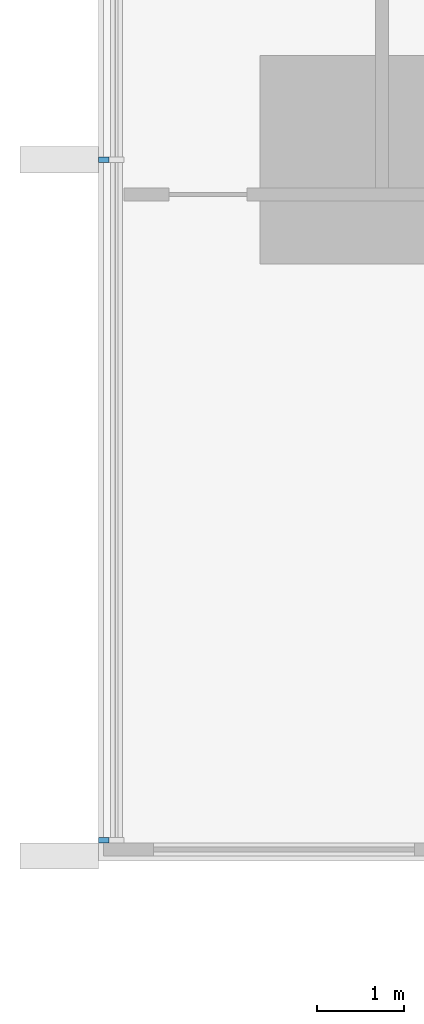
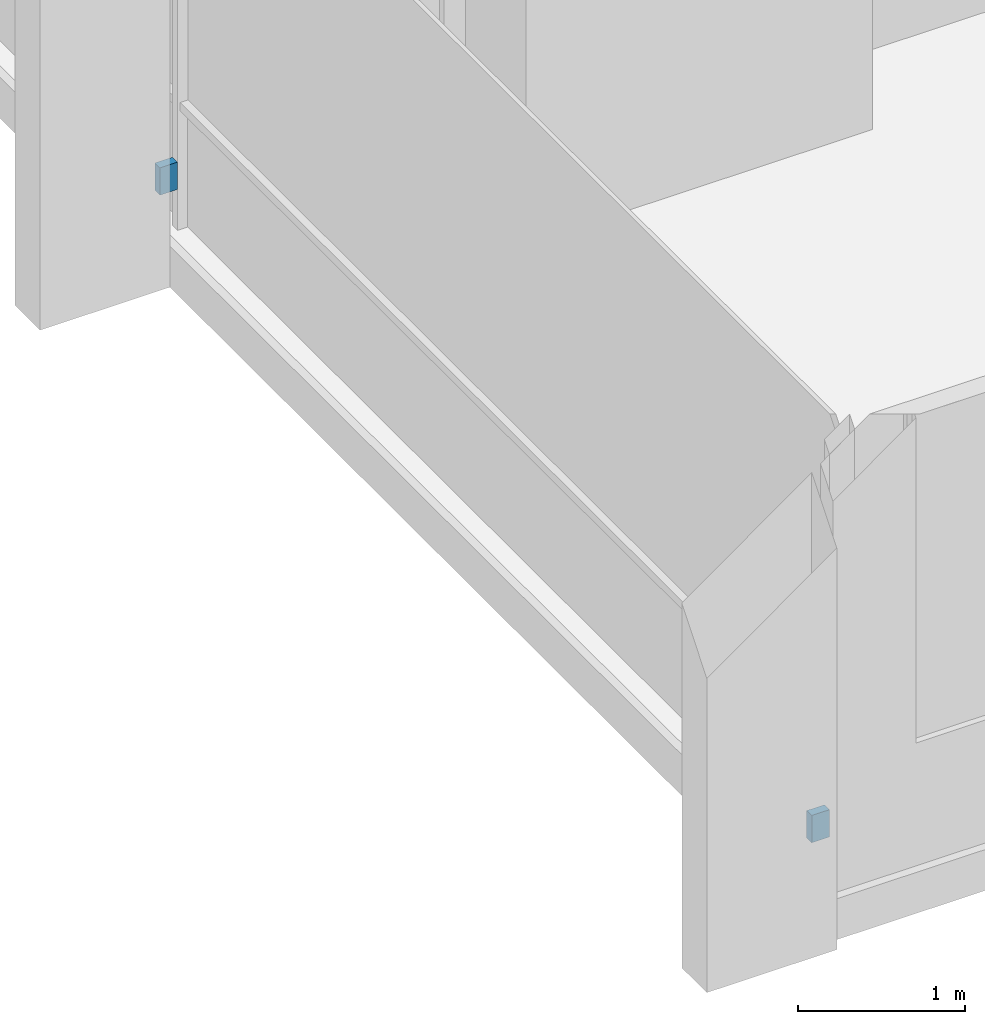
# One storey, part 13 of 17: 2 discrete accessories.
"""IFC4 building model written with IfcOpenShell, lengths in metres."""

from ifc_helpers import new_model, si_unit, direction, frame, origin, origin_2d, place, context, subcontext, project, spatial, rectangle, extrude, material, type_object, element, save


model = new_model("IFC4")

# Units and contexts
model_context = context("Model", 3, precision=1e-05, world=origin(), true_north=direction((0.0, 1.0)))
body_context = subcontext(model_context, "Body", "Model", "MODEL_VIEW")
ifc_project = project(units=[si_unit("LENGTHUNIT", "METRE"), si_unit("AREAUNIT", "SQUARE_METRE"), si_unit("VOLUMEUNIT", "CUBIC_METRE"), si_unit("PLANEANGLEUNIT", "RADIAN"), si_unit("MASSUNIT", "GRAM", prefix="KILO")], contexts=[model_context])

# Site, building, storey
site_placement = place(None, origin())
site = spatial("IfcSite", under=ifc_project, at=site_placement, CompositionType="ELEMENT")
building_placement = place(site_placement, origin())
building = spatial("IfcBuilding", under=site, at=building_placement, Name="Finial Court Residences", CompositionType="ELEMENT")
storey_placement = place(building_placement, frame((0.0, 0.0, 170.89990234375)))
storey = spatial("IfcBuildingStorey", under=building, at=storey_placement, Name="L42", CompositionType="ELEMENT", Elevation=170.89990234375)

# Discrete accessories
ifc_material = material(Name="Stainless steel 316", Category="steel")
discrete_accessory_type = type_object("IfcDiscreteAccessoryType", Name="Fin bracket, stainless steel 60 x 122 x 200", PredefinedType="BRACKET", material=ifc_material)
for number, where, z_axis, x_axis, name in (
    (1, (-19.498779296875, -21.320068359375, 0.30029296875), (0.0, 0.0, 1.0), (1.0, 0.0, 0.0), "E-L42-FIN-W22-BRK"),
    (2, (-19.498779296875, -13.5, 0.30029296875), (0.0, 0.0, 1.0), (1.0, 0.0, 0.0), "E-L42-FIN-W23-BRK"),
):
    element("IfcDiscreteAccessory", number, at=place(storey_placement, frame(where, z_axis=z_axis, x_axis=x_axis)), inside=storey, type_object=discrete_accessory_type, Name=name, PredefinedType="BRACKET", context=body_context, shape_type="SweptSolid", body=[
        extrude(rectangle(XDim=0.12255859375, YDim=0.06005859375, at=origin_2d()), origin(), (0.0, 0.0, 1.0), 0.199951171875),
    ])

save(model, "model.ifc")
